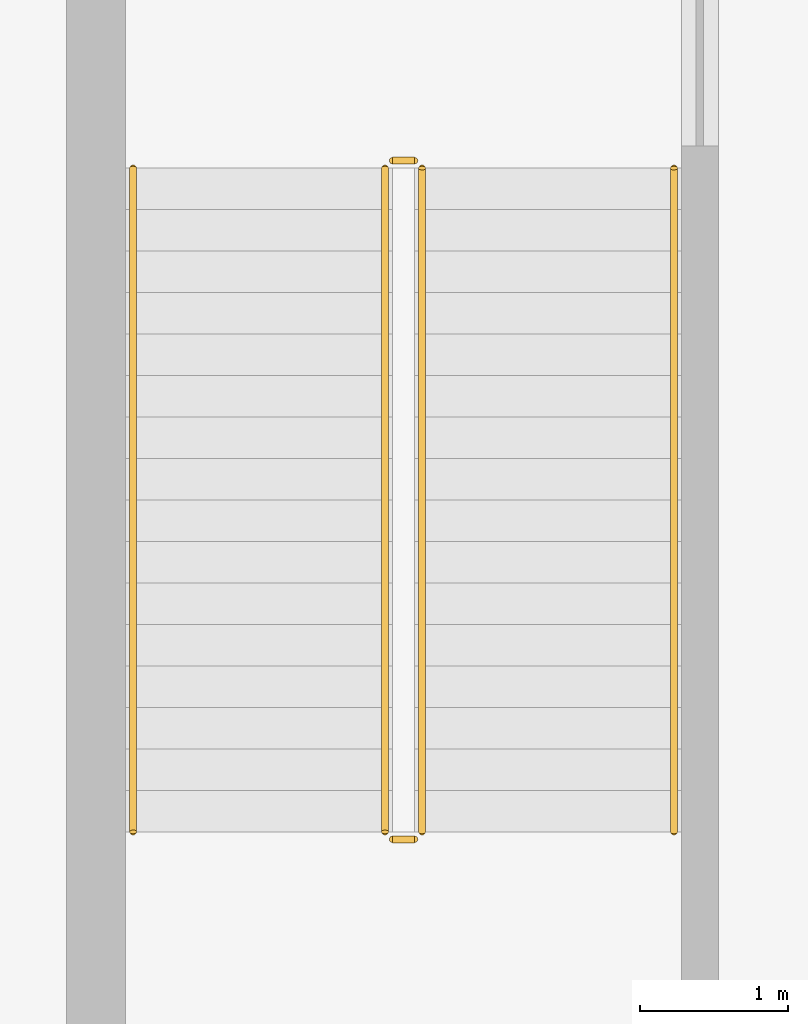
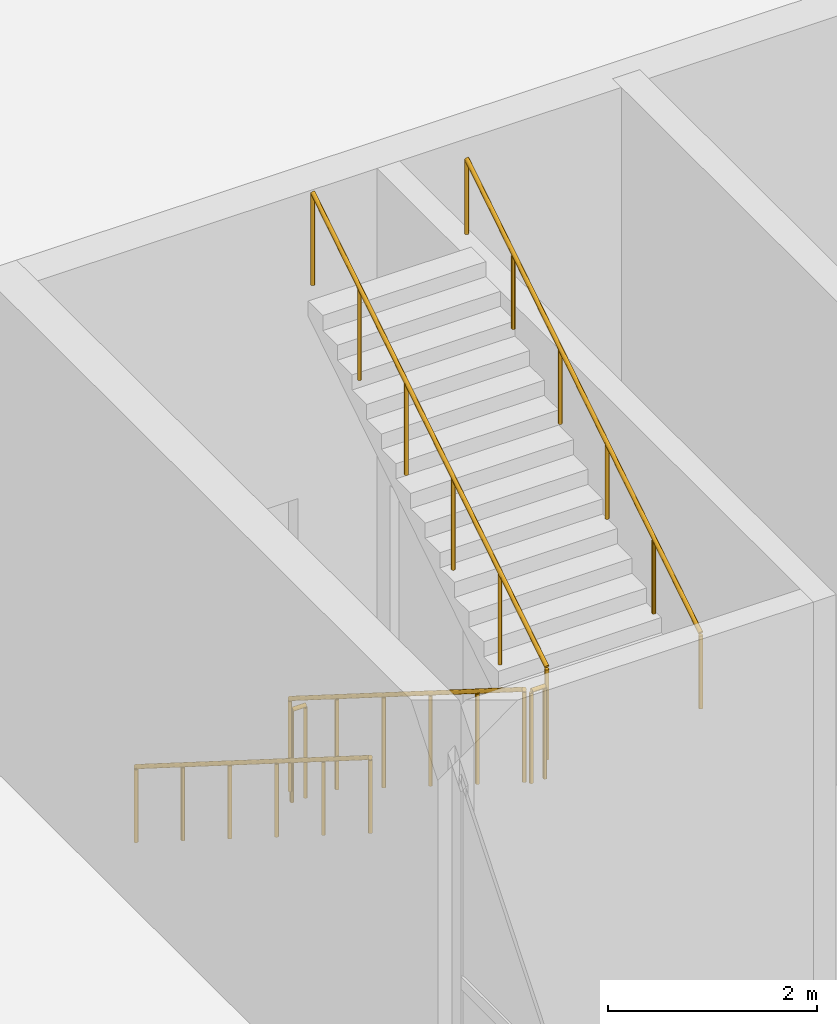
# One storey, part 45 of 47: 6 railings.
"""IFC4 building model written with IfcOpenShell, lengths in metres."""

import ifcopenshell
import ifcopenshell.guid

model = None  # the IFC model being written
_history = None  # IfcOwnerHistory: only IFC2X3 demands one
_inside = {}  # id of a spatial element -> (the spatial element, [elements in it])
_under = {}  # id of a project, library or spatial element -> (it, [spatial elements below it])
_declared = {}  # id of a project -> (the project, [libraries it declares])
_typed = {}  # id of a type object -> (the type object, [elements of that type])
_made_of = {}  # id of a material, layer set ... -> (it, [elements and type objects made of it])


def new_model(schema):
    """Start an empty IFC model of exactly this schema.

    Asked for "IFC4X3", IfcOpenShell would pick the latest addendum, in which some entities
    have other attributes; the version numbers below select the first issue.
    IFC2X3 requires an IfcOwnerHistory on every rooted entity: one is made here for all.
    """
    global model, _history
    if schema == "IFC4X3":
        model = ifcopenshell.file(schema_version=(4, 3, 0, 0))
    else:
        model = ifcopenshell.file(schema=schema)
    _inside.clear()
    _under.clear()
    _declared.clear()
    _typed.clear()
    _made_of.clear()
    _history = None
    if model.schema == "IFC2X3":
        org = make("IfcOrganization", Name="unknown")
        user = make(
            "IfcPersonAndOrganization",
            ThePerson=make("IfcPerson", FamilyName="unknown"),
            TheOrganization=org,
        )
        app = make(
            "IfcApplication",
            ApplicationDeveloper=org,
            Version="unknown",
            ApplicationFullName="unknown",
            ApplicationIdentifier="unknown",
        )
        _history = make(
            "IfcOwnerHistory",
            OwningUser=user,
            OwningApplication=app,
            ChangeAction="ADDED",
            CreationDate=0,
        )
    return model


def make(cls, **values):
    """One entity of the class cls with the attributes given. An attribute that is None is left unset."""
    return model.create_entity(
        cls, **{name: value for name, value in values.items() if value is not None}
    )


def rooted(cls, **values):
    """An entity with a GlobalId (a new one), such as an element, a storey or a relation."""
    return make(cls, GlobalId=ifcopenshell.guid.new(), OwnerHistory=_history, **values)


def si_unit(unit_type, name, prefix=None):
    """IfcSIUnit, for example si_unit("LENGTHUNIT", "METRE", prefix="MILLI")."""
    return make("IfcSIUnit", UnitType=unit_type, Prefix=prefix, Name=name)


def assignment(units):
    """IfcUnitAssignment: the units of a project."""
    return None if units is None else make("IfcUnitAssignment", Units=units)


def point(xyz):
    """IfcCartesianPoint."""
    return None if xyz is None else make("IfcCartesianPoint", Coordinates=xyz)


def direction(xyz):
    """IfcDirection."""
    return None if xyz is None else make("IfcDirection", DirectionRatios=xyz)


def frame(location, z_axis=None, x_axis=None):
    """IfcAxis2Placement3D, a coordinate frame: its origin and axes. An axis left out is left unset."""
    return make(
        "IfcAxis2Placement3D",
        Location=point(location),
        Axis=direction(z_axis),
        RefDirection=direction(x_axis),
    )


def frame_2d(location, x_axis=None):
    """IfcAxis2Placement2D, a coordinate frame in the plane: its origin and x axis."""
    return make(
        "IfcAxis2Placement2D", Location=point(location), RefDirection=direction(x_axis)
    )


def origin():
    """The frame at (0, 0, 0) with its axes left unset."""
    return frame((0.0, 0.0, 0.0))


def origin_2d():
    """The frame at (0, 0) in the plane with its x axis left unset."""
    return frame_2d((0.0, 0.0))


def place(relative_to, where):
    """IfcLocalPlacement: puts the frame where relative to a parent placement (None: the world)."""
    return make(
        "IfcLocalPlacement", PlacementRelTo=relative_to, RelativePlacement=where
    )


def context(
    kind, dimensions, precision=None, world=None, true_north=None, identifier=None
):
    """IfcGeometricRepresentationContext, for example the 3D "Model" context."""
    return make(
        "IfcGeometricRepresentationContext",
        ContextIdentifier=identifier,
        ContextType=kind,
        CoordinateSpaceDimension=dimensions,
        Precision=precision,
        WorldCoordinateSystem=world,
        TrueNorth=true_north,
    )


def subcontext(parent, identifier, kind, view, scale=None):
    """IfcGeometricRepresentationSubContext, for example "Body" below "Model"."""
    return make(
        "IfcGeometricRepresentationSubContext",
        ContextIdentifier=identifier,
        ContextType=kind,
        ParentContext=parent,
        TargetScale=scale,
        TargetView=view,
    )


def project(units=None, contexts=None):
    """IfcProject with its units and contexts."""
    return rooted(
        "IfcProject",
        Name="project",
        RepresentationContexts=contexts,
        UnitsInContext=assignment(units),
    )


def spatial(cls, under=None, at=None, **own):
    """A site, building, storey or space (cls), placed at a placement, below another one or the project."""
    s = rooted(cls, ObjectPlacement=at, **own)
    if under is not None:
        _under.setdefault(under.id(), (under, []))[1].append(s)
    return s


def profile(cls, at=None, kind="AREA", **sizes):
    """A parametric profile (cls). Its sizes go by their IFC names, for example OverallWidth=200.0."""
    return make(cls, ProfileType=kind, Position=at, **sizes)


def circle(**sizes):
    """IfcCircleProfileDef."""
    return profile("IfcCircleProfileDef", **sizes)


def extrude(swept, where, along, depth):
    """IfcExtrudedAreaSolid: the profile swept, set in the frame where, extruded along a direction by depth."""
    return make(
        "IfcExtrudedAreaSolid",
        SweptArea=swept,
        Position=where,
        ExtrudedDirection=direction(along),
        Depth=depth,
    )


def shape(context_of_items, identifier, shape_type, items):
    """IfcShapeRepresentation: the items that make up one representation, for example the "Body"."""
    return make(
        "IfcShapeRepresentation",
        ContextOfItems=context_of_items,
        RepresentationIdentifier=identifier,
        RepresentationType=shape_type,
        Items=items,
    )


def material(Name=None, Category=None):
    """IfcMaterial."""
    return make("IfcMaterial", Name=Name, Category=Category)


def made_of(thing, what):
    """Note that an element or type object is made of a material, layer set ...; save() writes the relation."""
    if what is not None:
        _made_of.setdefault(what.id(), (what, []))[1].append(thing)
    return thing


def type_object(cls, material=None, **own):
    """A type object (cls), such as IfcWallType, which elements share."""
    return made_of(rooted(cls, **own), material)


def element(
    cls,
    number,
    at=None,
    inside=None,
    cuts=None,
    type_object=None,
    material=None,
    context=None,
    identifier="Body",
    shape_type=None,
    held_by="IfcProductDefinitionShape",
    body=None,
    shapes=None,
    **own,
):
    """One element of the class cls, such as IfcWall. Its Tag is "e" and its number.

    at: its placement. inside: the storey or other place that contains it. cuts: it is an
    opening in that element (IfcRelVoidsElement). A single representation is given by context,
    identifier, shape_type and body (its items); several are given by shapes. held_by: the class
    of the entity that holds the representations. save() writes the other relations.
    """
    e = rooted(cls, Tag="e%d" % number, ObjectPlacement=at, **own)
    if body is not None:
        shapes = [shape(context, identifier, shape_type, body)]
    if shapes is not None:
        e.Representation = make(held_by, Representations=shapes)
    if inside is not None:
        _inside.setdefault(inside.id(), (inside, []))[1].append(e)
    if cuts is not None:
        rooted(
            "IfcRelVoidsElement", RelatingBuildingElement=cuts, RelatedOpeningElement=e
        )
    if type_object is not None:
        _typed.setdefault(type_object.id(), (type_object, []))[1].append(e)
    return made_of(e, material)


def aggregate(whole, parts):
    """IfcRelAggregates: a whole, such as a stair, and the parts it consists of."""
    return rooted("IfcRelAggregates", RelatingObject=whole, RelatedObjects=parts)


def save(model, path):
    """Write the relations noted so far, then the file.

    IfcRelAggregates (storeys below a building ...), IfcRelContainedInSpatialStructure (elements
    in a storey), IfcRelDefinesByType, IfcRelAssociatesMaterial and IfcRelDeclares: one each for
    every whole, place, type object, material and project.
    """
    for whole, parts in _under.values():
        aggregate(whole, parts)
    for where, things in _inside.values():
        rooted(
            "IfcRelContainedInSpatialStructure",
            RelatedElements=things,
            RelatingStructure=where,
        )
    for kind, things in _typed.values():
        rooted("IfcRelDefinesByType", RelatedObjects=things, RelatingType=kind)
    for what, things in _made_of.values():
        rooted("IfcRelAssociatesMaterial", RelatedObjects=things, RelatingMaterial=what)
    for by, libraries in _declared.values():
        rooted("IfcRelDeclares", RelatingContext=by, RelatedDefinitions=libraries)
    model.write(path)


model = new_model("IFC4")

# Units and contexts
model_context = context("Model", 3, precision=1e-05, world=origin(), true_north=direction((0.0, 1.0)))
body_context = subcontext(model_context, "Body", "Model", "MODEL_VIEW")
ifc_project = project(units=[si_unit("LENGTHUNIT", "METRE"), si_unit("AREAUNIT", "SQUARE_METRE"), si_unit("VOLUMEUNIT", "CUBIC_METRE"), si_unit("PLANEANGLEUNIT", "RADIAN"), si_unit("MASSUNIT", "GRAM", prefix="KILO")], contexts=[model_context])

# Site, building, storey
site_placement = place(None, origin())
site = spatial("IfcSite", under=ifc_project, at=site_placement, CompositionType="ELEMENT")
building_placement = place(site_placement, origin())
building = spatial("IfcBuilding", under=site, at=building_placement, Name="Hunhe Ridgeline Campus", CompositionType="ELEMENT")
storey_placement = place(building_placement, origin())
storey = spatial("IfcBuildingStorey", under=building, at=storey_placement, Name="L00", CompositionType="ELEMENT", Elevation=0.0)

# Railings
ifc_material = material(Name="Steel Q235", Category="steel")
railing_type_1 = type_object("IfcRailingType", Name="Hall stair guard 1100", PredefinedType="GUARDRAIL", material=ifc_material)
railing_1_placement = place(storey_placement, frame((152.14990234375, 74.300048828125, 0.176513671875)))
element("IfcRailing", 1, at=railing_1_placement, inside=storey, type_object=railing_type_1, Name="L00 HS2 stair guard 1", PredefinedType="GUARDRAIL", context=body_context, shape_type="SweptSolid", body=[
    extrude(circle(Radius=0.02392578125, at=origin_2d()), frame((0.0, 0.0, 1.076171875), z_axis=(0.0, -0.845997938375, 0.533186166611), x_axis=(1.0, 0.0, 0.0)), (0.0, 0.0, 1.0), 5.29541015625),
    extrude(circle(Radius=0.02099609375, at=origin_2d()), origin(), (0.0, 0.0, 1.0), 1.052001953125),
    extrude(circle(Radius=0.02099609375, at=origin_2d()), frame((0.0, -0.89599609375, 0.564697265625)), (0.0, 0.0, 1.0), 1.052001953125),
    extrude(circle(Radius=0.02099609375, at=origin_2d()), frame((0.0, -1.7919921875, 1.12939453125)), (0.0, 0.0, 1.0), 1.052001953125),
    extrude(circle(Radius=0.02099609375, at=origin_2d()), frame((0.0, -2.68798828125, 1.694091796875)), (0.0, 0.0, 1.0), 1.052001953125),
    extrude(circle(Radius=0.02099609375, at=origin_2d()), frame((0.0, -3.583984375, 2.2587890625)), (0.0, 0.0, 1.0), 1.052001953125),
    extrude(circle(Radius=0.02099609375, at=origin_2d()), frame((0.0, -4.47998046875, 2.823486328125)), (0.0, 0.0, 1.0), 1.052001953125),
])
railing_2_placement = place(storey_placement, frame((152.199951171875, 69.77001953125, 3.0)))
element("IfcRailing", 2, at=railing_2_placement, inside=storey, type_object=railing_type_1, Name="L00 HS2 stair guard 2", PredefinedType="GUARDRAIL", context=body_context, shape_type="SweptSolid", body=[
    extrude(circle(Radius=0.02392578125, at=origin_2d()), frame((0.0, 0.0, 1.076171875), z_axis=(1.0, 0.0, 0.0), x_axis=(0.0, 1.0, 0.0)), (0.0, 0.0, 1.0), 0.150146484375),
    extrude(circle(Radius=0.02099609375, at=origin_2d()), origin(), (0.0, 0.0, 1.0), 1.052001953125),
    extrude(circle(Radius=0.02099609375, at=origin_2d()), frame((0.150146484375, 0.0, 0.0)), (0.0, 0.0, 1.0), 1.052001953125),
])
railing_3_placement = place(storey_placement, frame((152.39990234375, 69.820068359375, 3.176513671875)))
element("IfcRailing", 3, at=railing_3_placement, inside=storey, type_object=railing_type_1, Name="L00 HS2 stair guard 3", PredefinedType="GUARDRAIL", context=body_context, shape_type="SweptSolid", body=[
    extrude(circle(Radius=0.02392578125, at=origin_2d()), frame((0.0, 0.0, 1.076171875), z_axis=(0.0, 0.845997938375, 0.533186166611), x_axis=(-1.0, 0.0, 0.0)), (0.0, 0.0, 1.0), 5.29541015625),
    extrude(circle(Radius=0.02099609375, at=origin_2d()), origin(), (0.0, 0.0, 1.0), 1.052001953125),
    extrude(circle(Radius=0.02099609375, at=origin_2d()), frame((0.0, 0.89599609375, 0.564697265625)), (0.0, 0.0, 1.0), 1.052001953125),
    extrude(circle(Radius=0.02099609375, at=origin_2d()), frame((0.0, 1.7919921875, 1.12939453125)), (0.0, 0.0, 1.0), 1.052001953125),
    extrude(circle(Radius=0.02099609375, at=origin_2d()), frame((0.0, 2.68798828125, 1.694091796875)), (0.0, 0.0, 1.0), 1.052001953125),
    extrude(circle(Radius=0.02099609375, at=origin_2d()), frame((0.0, 3.583984375, 2.2587890625)), (0.0, 0.0, 1.0), 1.052001953125),
    extrude(circle(Radius=0.02099609375, at=origin_2d()), frame((0.0, 4.47998046875, 2.823486328125)), (0.0, 0.0, 1.0), 1.052001953125),
])
railing_4_placement = place(storey_placement, frame((152.199951171875, 74.35009765625, 0.0)))
element("IfcRailing", 4, at=railing_4_placement, inside=storey, type_object=railing_type_1, Name="L00 HS2 stair guard 4", PredefinedType="GUARDRAIL", context=body_context, shape_type="SweptSolid", body=[
    extrude(circle(Radius=0.02392578125, at=origin_2d()), frame((0.0, 0.0, 1.076171875), z_axis=(1.0, 0.0, 0.0), x_axis=(0.0, 1.0, 0.0)), (0.0, 0.0, 1.0), 0.150146484375),
    extrude(circle(Radius=0.02099609375, at=origin_2d()), origin(), (0.0, 0.0, 1.0), 1.052001953125),
    extrude(circle(Radius=0.02099609375, at=origin_2d()), frame((0.150146484375, 0.0, 0.0)), (0.0, 0.0, 1.0), 1.052001953125),
])
railing_type_2 = type_object("IfcRailingType", Name="Hall stair handrail", PredefinedType="HANDRAIL", material=ifc_material)
railing_5_placement = place(storey_placement, frame((150.449951171875, 74.300048828125, 0.176513671875)))
element("IfcRailing", 5, at=railing_5_placement, inside=storey, type_object=railing_type_2, Name="L00 HS2 stair handrail 1", PredefinedType="HANDRAIL", context=body_context, shape_type="SweptSolid", body=[
    extrude(circle(Radius=0.02392578125, at=origin_2d()), frame((0.0, 0.0, 0.8759765625), z_axis=(0.0, -0.845997938375, 0.533186166611), x_axis=(1.0, 0.0, 0.0)), (0.0, 0.0, 1.0), 5.29541015625),
    extrude(circle(Radius=0.02099609375, at=origin_2d()), origin(), (0.0, 0.0, 1.0), 0.851806640625),
    extrude(circle(Radius=0.02099609375, at=origin_2d()), frame((0.0, -0.89599609375, 0.564697265625)), (0.0, 0.0, 1.0), 0.851806640625),
    extrude(circle(Radius=0.02099609375, at=origin_2d()), frame((0.0, -1.7919921875, 1.12939453125)), (0.0, 0.0, 1.0), 0.851806640625),
    extrude(circle(Radius=0.02099609375, at=origin_2d()), frame((0.0, -2.68798828125, 1.694091796875)), (0.0, 0.0, 1.0), 0.851806640625),
    extrude(circle(Radius=0.02099609375, at=origin_2d()), frame((0.0, -3.583984375, 2.2587890625)), (0.0, 0.0, 1.0), 0.851806640625),
    extrude(circle(Radius=0.02099609375, at=origin_2d()), frame((0.0, -4.47998046875, 2.823486328125)), (0.0, 0.0, 1.0), 0.851806640625),
])
railing_6_placement = place(storey_placement, frame((154.10009765625, 69.820068359375, 3.176513671875)))
element("IfcRailing", 6, at=railing_6_placement, inside=storey, type_object=railing_type_2, Name="L00 HS2 stair handrail 2", PredefinedType="HANDRAIL", context=body_context, shape_type="SweptSolid", body=[
    extrude(circle(Radius=0.02392578125, at=origin_2d()), frame((0.0, 0.0, 0.8759765625), z_axis=(0.0, 0.845997938375, 0.533186166611), x_axis=(-1.0, 0.0, 0.0)), (0.0, 0.0, 1.0), 5.29541015625),
    extrude(circle(Radius=0.02099609375, at=origin_2d()), origin(), (0.0, 0.0, 1.0), 0.851806640625),
    extrude(circle(Radius=0.02099609375, at=origin_2d()), frame((0.0, 0.89599609375, 0.564697265625)), (0.0, 0.0, 1.0), 0.851806640625),
    extrude(circle(Radius=0.02099609375, at=origin_2d()), frame((0.0, 1.7919921875, 1.12939453125)), (0.0, 0.0, 1.0), 0.851806640625),
    extrude(circle(Radius=0.02099609375, at=origin_2d()), frame((0.0, 2.68798828125, 1.694091796875)), (0.0, 0.0, 1.0), 0.851806640625),
    extrude(circle(Radius=0.02099609375, at=origin_2d()), frame((0.0, 3.583984375, 2.2587890625)), (0.0, 0.0, 1.0), 0.851806640625),
    extrude(circle(Radius=0.02099609375, at=origin_2d()), frame((0.0, 4.47998046875, 2.823486328125)), (0.0, 0.0, 1.0), 0.851806640625),
])

save(model, "model.ifc")
